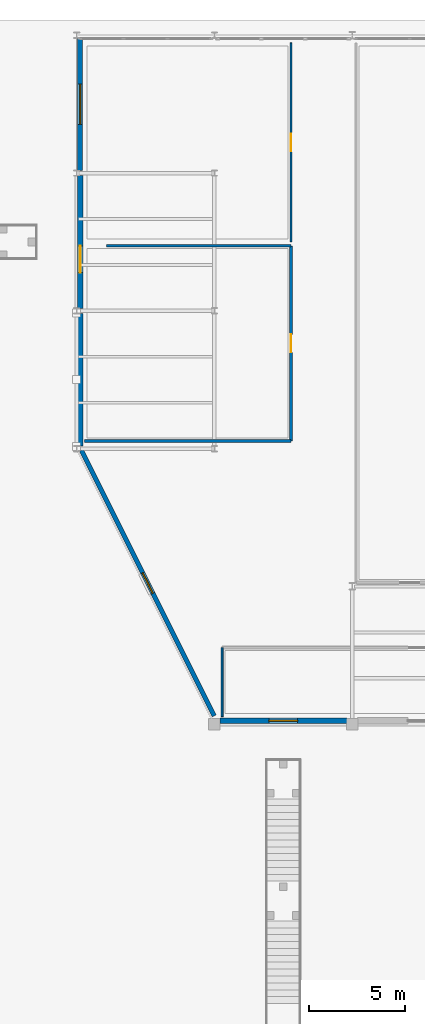
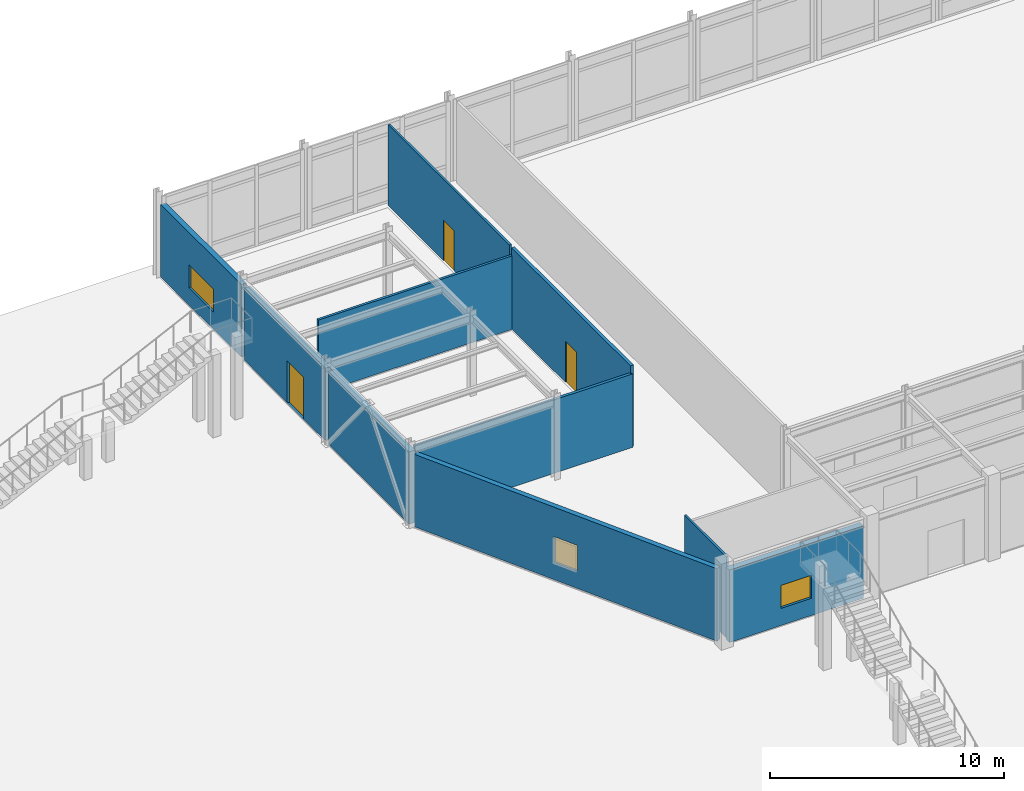
# One storey, part 35 of 58: 10 walls, 3 doors, 3 windows, 6 openings.
"""IFC4 building model written with IfcOpenShell, lengths in metres."""

from ifc_helpers import new_model, si_unit, direction, frame, frame_2d, origin, place, context, subcontext, project, spatial, rectangle, extrude, material, layer, layer_set, type_object, element, fill, save


model = new_model("IFC4")

# Units and contexts
model_context = context("Model", 3, precision=1e-05, world=origin(), true_north=direction((0.0, 1.0)))
body_context = subcontext(model_context, "Body", "Model", "MODEL_VIEW")
ifc_project = project(units=[si_unit("LENGTHUNIT", "METRE"), si_unit("AREAUNIT", "SQUARE_METRE"), si_unit("VOLUMEUNIT", "CUBIC_METRE"), si_unit("PLANEANGLEUNIT", "RADIAN"), si_unit("MASSUNIT", "GRAM", prefix="KILO")], contexts=[model_context])

# Site, building, storey
site_placement = place(None, origin())
site = spatial("IfcSite", under=ifc_project, at=site_placement, CompositionType="ELEMENT")
building_placement = place(site_placement, origin())
building = spatial("IfcBuilding", under=site, at=building_placement, Name="Brisavento Harbour Community Centre", CompositionType="ELEMENT")
storey_placement = place(building_placement, origin())
storey = spatial("IfcBuildingStorey", under=building, at=storey_placement, Name="L00", CompositionType="ELEMENT", Elevation=0.0)

# Wall, opening, window
ifc_material_1 = material(Name="Terracotta masonry unit", Category="masonry")
ifc_layer_1 = layer(ifc_material_1, 0.239990234375, Name="Terracotta masonry unit")
ifc_layer_set_1 = layer_set([ifc_layer_1], Name="Terracotta masonry unit")
wall_type_1 = type_object("IfcWallType", Name="WL-EXT-240", PredefinedType="SOLIDWALL", material=ifc_layer_set_1)
wall_1_placement = place(storey_placement, frame((122.3876953125, 79.627197265625, 0.0), z_axis=(0.0, 0.0, 1.0), x_axis=(-0.4472135955, 0.894427191, 0.0)))
wall_1 = element("IfcWall", 1, at=wall_1_placement, inside=storey, type_object=wall_type_1, Name="L00 V4 exterior wall 0158", PredefinedType="SOLIDWALL", context=body_context, shape_type="SweptSolid", body=[
    extrude(rectangle(XDim=15.52587890625, YDim=0.239990234375, at=frame_2d((7.762939453125, 0.0))), origin(), (0.0, 0.0, 1.0), 3.7900390625),
])
opening_1_placement = place(wall_1_placement, frame((7.1630859375, 0.0, 0.89990234375)))
opening_1 = element("IfcOpeningElement", 2, at=opening_1_placement, cuts=wall_1, Name="Opening W-09", PredefinedType="OPENING", context=body_context, shape_type="SweptSolid", body=[
    extrude(rectangle(XDim=1.199951171875, YDim=1.35009765625, at=frame_2d((0.60009765625, 0.675048828125))), frame((0.0, 0.1298828125, 0.0), z_axis=(0.0, -1.0, 0.0), x_axis=(1.0, 0.0, 0.0)), (0.0, 0.0, 1.0), 0.260009765625),
])
ifc_material_2 = material(Name="Solar-control laminated low-E glass", Category="glass")
window_type_1 = type_object("IfcWindowType", Name="WIN-CAS-09", PartitioningType="SINGLE_PANEL", PredefinedType="WINDOW", material=ifc_material_2)
window_1_placement = place(opening_1_placement, origin())
window_1 = element("IfcWindow", 3, at=window_1_placement, inside=storey, type_object=window_type_1, Name="L00 V4 impact casement window 0045", OverallHeight=1.35009765625, OverallWidth=1.199951171875, PartitioningType="SINGLE_PANEL", PredefinedType="WINDOW", context=body_context, shape_type="SweptSolid", body=[
    extrude(rectangle(XDim=1.199951171875, YDim=1.35009765625, at=frame_2d((0.60009765625, 0.675048828125))), frame((0.0, 0.030029296875, 0.0), z_axis=(0.0, -1.0, 0.0), x_axis=(1.0, 0.0, 0.0)), (0.0, 0.0, 1.0), 0.06005859375),
])
fill(opening_1, window_1)

ifc_layer_2 = layer(ifc_material_1, 0.260009765625, Name="Terracotta masonry unit")
ifc_layer_set_2 = layer_set([ifc_layer_2], Name="Terracotta masonry unit")
wall_type_2 = type_object("IfcWallType", Name="WL-EXT-260", PredefinedType="SOLIDWALL", material=ifc_layer_set_2)
wall_2_placement = place(storey_placement, frame((115.3798828125, 108.135009765625, 0.0), z_axis=(0.0, 0.0, 1.0), x_axis=(0.0, 1.0, 0.0)))
wall_2 = element("IfcWall", 4, at=wall_2_placement, inside=storey, type_object=wall_type_2, Name="L00 V4 exterior wall 0157", PredefinedType="SOLIDWALL", context=body_context, shape_type="SweptSolid", body=[
    extrude(rectangle(XDim=6.929931640625, YDim=0.260009765625, at=frame_2d((3.46484375, 0.0))), origin(), (0.0, 0.0, 1.0), 3.7900390625),
])
opening_2_placement = place(wall_2_placement, frame((2.4150390625, 0.0, 0.89990234375)))
opening_2 = element("IfcOpeningElement", 5, at=opening_2_placement, cuts=wall_2, Name="Opening W-08", PredefinedType="OPENING", context=body_context, shape_type="SweptSolid", body=[
    extrude(rectangle(XDim=2.10009765625, YDim=1.199951171875, at=frame_2d((1.050048828125, 0.60009765625))), frame((0.0, 0.14013671875, 0.0), z_axis=(0.0, -1.0, 0.0), x_axis=(1.0, 0.0, 0.0)), (0.0, 0.0, 1.0), 0.280029296875),
])
window_type_2 = type_object("IfcWindowType", Name="WIN-CAS-08", PartitioningType="SINGLE_PANEL", PredefinedType="WINDOW", material=ifc_material_2)
window_2_placement = place(opening_2_placement, origin())
window_2 = element("IfcWindow", 6, at=window_2_placement, inside=storey, type_object=window_type_2, Name="L00 V4 impact casement window 0044", OverallHeight=1.199951171875, OverallWidth=2.10009765625, PartitioningType="SINGLE_PANEL", PredefinedType="WINDOW", context=body_context, shape_type="SweptSolid", body=[
    extrude(rectangle(XDim=2.10009765625, YDim=1.199951171875, at=frame_2d((1.050048828125, 0.60009765625))), frame((0.0, 0.030029296875, 0.0), z_axis=(0.0, -1.0, 0.0), x_axis=(1.0, 0.0, 0.0)), (0.0, 0.0, 1.0), 0.06005859375),
])
fill(opening_2, window_2)

# Wall, opening, door
ifc_material_3 = material(Name="Precast concrete C40/50", Category="concrete")
ifc_layer_3 = layer(ifc_material_3, 0.280029296875, Name="Precast concrete C40/50")
ifc_layer_set_3 = layer_set([ifc_layer_3], Name="Precast concrete C40/50")
wall_type_3 = type_object("IfcWallType", Name="WL-EXT-280", PredefinedType="SOLIDWALL", material=ifc_layer_set_3)
wall_3_placement = place(storey_placement, frame((115.3798828125, 100.93505859375, 0.0), z_axis=(0.0, 0.0, 1.0), x_axis=(0.0, 1.0, 0.0)))
wall_3 = element("IfcWall", 7, at=wall_3_placement, inside=storey, type_object=wall_type_3, Name="L00 V4 exterior wall 0156", PredefinedType="SOLIDWALL", context=body_context, shape_type="SweptSolid", body=[
    extrude(rectangle(XDim=6.929931640625, YDim=0.280029296875, at=frame_2d((3.46484375, 0.0))), origin(), (0.0, 0.0, 1.0), 3.7900390625),
])
opening_3_placement = place(wall_3_placement, frame((1.864990234375, 0.0, 0.0)))
opening_3 = element("IfcOpeningElement", 8, at=opening_3_placement, cuts=wall_3, Name="Opening ED-05", PredefinedType="OPENING", context=body_context, shape_type="SweptSolid", body=[
    extrude(rectangle(XDim=1.39990234375, YDim=2.199951171875, at=frame_2d((0.699951171875, 1.10009765625))), frame((0.0, 0.14990234375, 0.0), z_axis=(0.0, -1.0, 0.0), x_axis=(1.0, 0.0, 0.0)), (0.0, 0.0, 1.0), 0.300048828125),
])
ifc_material_4 = material(Name="Marine-anodised aluminium AW-6063-T6", Category="aluminium")
door_type_1 = type_object("IfcDoorType", Name="DR-EXT-140x220", OperationType="NOTDEFINED", PredefinedType="DOOR", material=ifc_material_4)
door_1_placement = place(opening_3_placement, origin())
door_1 = element("IfcDoor", 9, at=door_1_placement, inside=storey, type_object=door_type_1, Name="L00 V4 exterior exit door 021", OperationType="SINGLE_SWING_RIGHT", OverallHeight=2.199951171875, OverallWidth=1.39990234375, PredefinedType="DOOR", context=body_context, shape_type="SweptSolid", body=[
    extrude(rectangle(XDim=1.39990234375, YDim=2.199951171875, at=frame_2d((0.699951171875, 1.10009765625))), frame((0.0, 0.02490234375, 0.0), z_axis=(0.0, -1.0, 0.0), x_axis=(1.0, 0.0, 0.0)), (0.0, 0.0, 1.0), 0.050048828125),
])
fill(opening_3, door_1)

# Wall, opening, window
ifc_material_5 = material(Name="Concrete C35/45", Category="concrete")
ifc_layer_4 = layer(ifc_material_5, 0.300048828125, Name="Concrete C35/45")
ifc_layer_set_4 = layer_set([ifc_layer_4], Name="Concrete C35/45")
wall_type_4 = type_object("IfcWallType", Name="WL-EXT-300", PredefinedType="SOLIDWALL", material=ifc_layer_set_4)
wall_4_placement = place(storey_placement, frame((129.31494140625, 79.3798828125, 0.0), z_axis=(0.0, 0.0, 1.0), x_axis=(-1.0, 0.0, 0.0)))
wall_4 = element("IfcWall", 10, at=wall_4_placement, inside=storey, type_object=wall_type_4, Name="L00 V4 exterior wall 0150", PredefinedType="SOLIDWALL", context=body_context, shape_type="SweptSolid", body=[
    extrude(rectangle(XDim=6.6298828125, YDim=0.300048828125, at=frame_2d((3.31494140625, 0.0))), origin(), (0.0, 0.0, 1.0), 3.7900390625),
])
opening_4_placement = place(wall_4_placement, frame((2.56494140625, 0.0, 0.89990234375)))
opening_4 = element("IfcOpeningElement", 11, at=opening_4_placement, cuts=wall_4, Name="Opening W-05", PredefinedType="OPENING", context=body_context, shape_type="SweptSolid", body=[
    extrude(rectangle(XDim=1.5, YDim=1.199951171875, at=frame_2d((0.75, 0.60009765625))), frame((0.0, 0.16015625, 0.0), z_axis=(0.0, -1.0, 0.0), x_axis=(1.0, 0.0, 0.0)), (0.0, 0.0, 1.0), 0.320068359375),
])
window_type_3 = type_object("IfcWindowType", Name="WIN-CAS-05", PartitioningType="SINGLE_PANEL", PredefinedType="WINDOW", material=ifc_material_2)
window_3_placement = place(opening_4_placement, origin())
window_3 = element("IfcWindow", 12, at=window_3_placement, inside=storey, type_object=window_type_3, Name="L00 V4 impact casement window 0041", OverallHeight=1.199951171875, OverallWidth=1.5, PartitioningType="SINGLE_PANEL", PredefinedType="WINDOW", context=body_context, shape_type="SweptSolid", body=[
    extrude(rectangle(XDim=1.5, YDim=1.199951171875, at=frame_2d((0.75, 0.60009765625))), frame((0.0, 0.030029296875, 0.0), z_axis=(0.0, -1.0, 0.0), x_axis=(1.0, 0.0, 0.0)), (0.0, 0.0, 1.0), 0.06005859375),
])
fill(opening_4, window_3)

# Wall
wall_5_placement = place(storey_placement, frame((115.3798828125, 93.735107421875, 0.0), z_axis=(0.0, 0.0, 1.0), x_axis=(0.0, 1.0, 0.0)))
element("IfcWall", 13, at=wall_5_placement, inside=storey, type_object=wall_type_4, Name="L00 V4 exterior wall 0155", PredefinedType="SOLIDWALL", context=body_context, shape_type="SweptSolid", body=[
    extrude(rectangle(XDim=6.929931640625, YDim=0.300048828125, at=frame_2d((3.46484375, 0.0))), origin(), (0.0, 0.0, 1.0), 3.7900390625),
])

# Wall, opening, door
ifc_material_6 = material(Name="Lightweight stud partition", Category="other")
ifc_layer_5 = layer(ifc_material_6, 0.10009765625, Name="Lightweight stud partition")
ifc_layer_set_5 = layer_set([ifc_layer_5], Name="Lightweight stud partition")
wall_type_5 = type_object("IfcWallType", Name="WL-PRT-100", PredefinedType="PARTITIONING", material=ifc_layer_set_5)
wall_6_placement = place(storey_placement, frame((126.39990234375, 104.39990234375, 0.0), z_axis=(0.0, 0.0, 1.0), x_axis=(0.0, 1.0, 0.0)))
wall_6 = element("IfcWall", 14, at=wall_6_placement, inside=storey, type_object=wall_type_5, Name="L00 Team Changing Room B partition 0099", PredefinedType="PARTITIONING", context=body_context, shape_type="SweptSolid", body=[
    extrude(rectangle(XDim=10.400146484375, YDim=0.10009765625, at=frame_2d((5.2001953125, 0.0))), origin(), (0.0, 0.0, 1.0), 4.239990234375),
])
opening_5_placement = place(wall_6_placement, frame((4.75, 0.0, 0.0)))
opening_5 = element("IfcOpeningElement", 15, at=opening_5_placement, cuts=wall_6, Name="Opening ID-11", PredefinedType="OPENING", context=body_context, shape_type="SweptSolid", body=[
    extrude(rectangle(XDim=0.89990234375, YDim=2.10009765625, at=frame_2d((0.449951171875, 1.050048828125))), frame((0.0, 0.06005859375, 0.0), z_axis=(0.0, -1.0, 0.0), x_axis=(1.0, 0.0, 0.0)), (0.0, 0.0, 1.0), 0.1201171875),
])
ifc_material_7 = material(Name="Solid-core tropical timber door", Category="wood")
door_type_2 = type_object("IfcDoorType", Name="DR-INT-090x210", OperationType="NOTDEFINED", PredefinedType="DOOR", material=ifc_material_7)
door_2_placement = place(opening_5_placement, origin())
door_2 = element("IfcDoor", 16, at=door_2_placement, inside=storey, type_object=door_type_2, Name="L00 Team Changing Room B door 0033", OperationType="SINGLE_SWING_RIGHT", OverallHeight=2.10009765625, OverallWidth=0.89990234375, PredefinedType="DOOR", context=body_context, shape_type="SweptSolid", body=[
    extrude(rectangle(XDim=0.89990234375, YDim=2.10009765625, at=frame_2d((0.449951171875, 1.050048828125))), frame((0.0, 0.02490234375, 0.0), z_axis=(0.0, -1.0, 0.0), x_axis=(1.0, 0.0, 0.0)), (0.0, 0.0, 1.0), 0.050048828125),
])
fill(opening_5, door_2)

# Walls
wall_7_placement = place(storey_placement, frame((122.800048828125, 83.199951171875, 0.0), z_axis=(0.0, 0.0, 1.0), x_axis=(0.0, -1.0, 0.0)))
element("IfcWall", 17, at=wall_7_placement, inside=storey, type_object=wall_type_5, Name="L00 Sports Reception Foyer partition 0103", PredefinedType="PARTITIONING", context=body_context, shape_type="SweptSolid", body=[
    extrude(rectangle(XDim=3.599853515625, YDim=0.10009765625, at=frame_2d((1.7998046875, 0.0))), origin(), (0.0, 0.0, 1.0), 4.239990234375),
])
ifc_material_8 = material(Name="Gypsum metal-stud partition", Category="other")
ifc_layer_6 = layer(ifc_material_8, 0.1201171875, Name="Gypsum metal-stud partition")
ifc_layer_set_6 = layer_set([ifc_layer_6], Name="Gypsum metal-stud partition")
wall_type_6 = type_object("IfcWallType", Name="WL-PRT-120", PredefinedType="PARTITIONING", material=ifc_layer_set_6)
wall_8_placement = place(storey_placement, frame((126.39990234375, 104.199951171875, 0.0), z_axis=(0.0, 0.0, 1.0), x_axis=(-1.0, 0.0, 0.0)))
element("IfcWall", 18, at=wall_8_placement, inside=storey, type_object=wall_type_6, Name="L00 Team Changing Room A partition 0098", PredefinedType="PARTITIONING", context=body_context, shape_type="SweptSolid", body=[
    extrude(rectangle(XDim=9.64990234375, YDim=0.1201171875, at=frame_2d((4.824951171875, 0.0))), origin(), (0.0, 0.0, 1.0), 3.840087890625),
])
ifc_layer_7 = layer(ifc_material_8, 0.139892578125, Name="Gypsum metal-stud partition")
ifc_layer_set_7 = layer_set([ifc_layer_7], Name="Gypsum metal-stud partition")
wall_type_7 = type_object("IfcWallType", Name="WL-PRT-140", PredefinedType="PARTITIONING", material=ifc_layer_set_7)
wall_9_placement = place(storey_placement, frame((115.60009765625, 94.0, 0.0), z_axis=(0.0, 0.0, 1.0), x_axis=(1.0, 0.0, 0.0)))
element("IfcWall", 19, at=wall_9_placement, inside=storey, type_object=wall_type_7, Name="L00 Team Changing Room A partition 0097", PredefinedType="PARTITIONING", context=body_context, shape_type="SweptSolid", body=[
    extrude(rectangle(XDim=10.7998046875, YDim=0.139892578125, at=frame_2d((5.39990234375, 0.0))), origin(), (0.0, 0.0, 1.0), 3.840087890625),
])

# Wall, opening, door
ifc_material_9 = material(Name="Moisture-resistant stud partition", Category="other")
ifc_layer_8 = layer(ifc_material_9, 0.14990234375, Name="Moisture-resistant stud partition")
ifc_layer_set_8 = layer_set([ifc_layer_8], Name="Moisture-resistant stud partition")
wall_type_8 = type_object("IfcWallType", Name="WL-PRT-150", PredefinedType="PARTITIONING", material=ifc_layer_set_8)
wall_10_placement = place(storey_placement, frame((126.39990234375, 94.0, 0.0), z_axis=(0.0, 0.0, 1.0), x_axis=(0.0, 1.0, 0.0)))
wall_10 = element("IfcWall", 20, at=wall_10_placement, inside=storey, type_object=wall_type_8, Name="L00 Team Changing Room A partition 0096", PredefinedType="PARTITIONING", context=body_context, shape_type="SweptSolid", body=[
    extrude(rectangle(XDim=10.199951171875, YDim=0.14990234375, at=frame_2d((5.10009765625, 0.0))), origin(), (0.0, 0.0, 1.0), 4.239990234375),
])
opening_6_placement = place(wall_10_placement, frame((4.625, 0.0, 0.0)))
opening_6 = element("IfcOpeningElement", 21, at=opening_6_placement, cuts=wall_10, Name="Opening ID-10", PredefinedType="OPENING", context=body_context, shape_type="SweptSolid", body=[
    extrude(rectangle(XDim=0.949951171875, YDim=2.14990234375, at=frame_2d((0.47509765625, 1.074951171875))), frame((0.0, 0.0849609375, 0.0), z_axis=(0.0, -1.0, 0.0), x_axis=(1.0, 0.0, 0.0)), (0.0, 0.0, 1.0), 0.169921875),
])
door_type_3 = type_object("IfcDoorType", Name="DR-INT-095x215", OperationType="NOTDEFINED", PredefinedType="DOOR", material=ifc_material_7)
door_3_placement = place(opening_6_placement, origin())
door_3 = element("IfcDoor", 22, at=door_3_placement, inside=storey, type_object=door_type_3, Name="L00 Team Changing Room A door 0032", OperationType="SINGLE_SWING_LEFT", OverallHeight=2.14990234375, OverallWidth=0.949951171875, PredefinedType="DOOR", context=body_context, shape_type="SweptSolid", body=[
    extrude(rectangle(XDim=0.949951171875, YDim=2.14990234375, at=frame_2d((0.47509765625, 1.074951171875))), frame((0.0, 0.02490234375, 0.0), z_axis=(0.0, -1.0, 0.0), x_axis=(1.0, 0.0, 0.0)), (0.0, 0.0, 1.0), 0.050048828125),
])
fill(opening_6, door_3)

save(model, "model.ifc")
